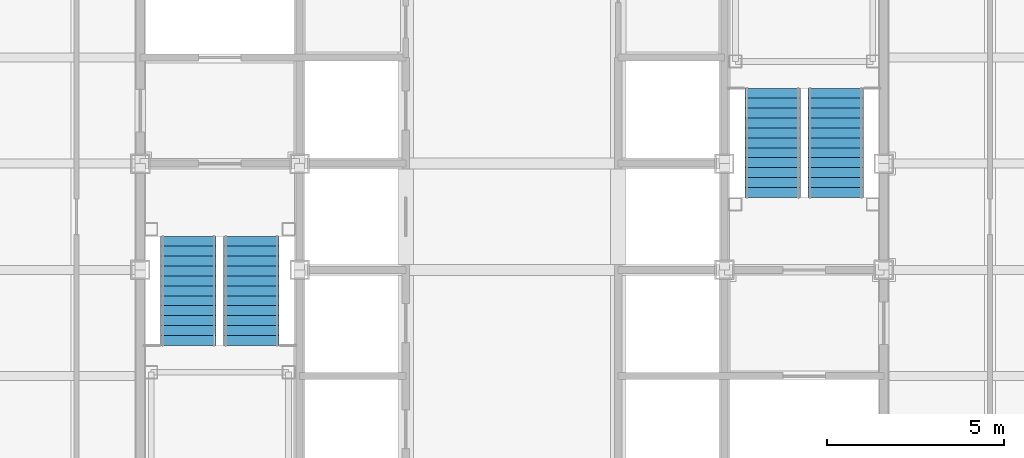
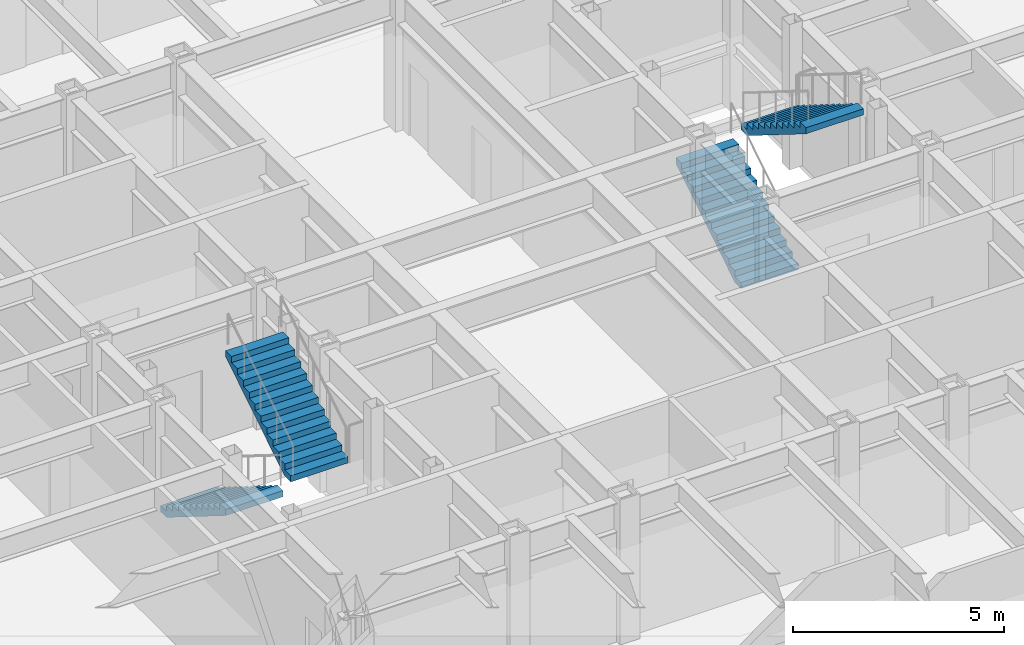
# One storey, part 14 of 16: 4 stair flights, 2 elements without a shape of their own.
"""IFC4 building model written with IfcOpenShell, lengths in metres."""

import ifcopenshell
import ifcopenshell.guid

model = None  # the IFC model being written
_history = None  # IfcOwnerHistory: only IFC2X3 demands one
_inside = {}  # id of a spatial element -> (the spatial element, [elements in it])
_under = {}  # id of a project, library or spatial element -> (it, [spatial elements below it])
_declared = {}  # id of a project -> (the project, [libraries it declares])
_typed = {}  # id of a type object -> (the type object, [elements of that type])
_made_of = {}  # id of a material, layer set ... -> (it, [elements and type objects made of it])


def new_model(schema):
    """Start an empty IFC model of exactly this schema.

    Asked for "IFC4X3", IfcOpenShell would pick the latest addendum, in which some entities
    have other attributes; the version numbers below select the first issue.
    IFC2X3 requires an IfcOwnerHistory on every rooted entity: one is made here for all.
    """
    global model, _history
    if schema == "IFC4X3":
        model = ifcopenshell.file(schema_version=(4, 3, 0, 0))
    else:
        model = ifcopenshell.file(schema=schema)
    _inside.clear()
    _under.clear()
    _declared.clear()
    _typed.clear()
    _made_of.clear()
    _history = None
    if model.schema == "IFC2X3":
        org = make("IfcOrganization", Name="unknown")
        user = make(
            "IfcPersonAndOrganization",
            ThePerson=make("IfcPerson", FamilyName="unknown"),
            TheOrganization=org,
        )
        app = make(
            "IfcApplication",
            ApplicationDeveloper=org,
            Version="unknown",
            ApplicationFullName="unknown",
            ApplicationIdentifier="unknown",
        )
        _history = make(
            "IfcOwnerHistory",
            OwningUser=user,
            OwningApplication=app,
            ChangeAction="ADDED",
            CreationDate=0,
        )
    return model


def make(cls, **values):
    """One entity of the class cls with the attributes given. An attribute that is None is left unset."""
    return model.create_entity(
        cls, **{name: value for name, value in values.items() if value is not None}
    )


def rooted(cls, **values):
    """An entity with a GlobalId (a new one), such as an element, a storey or a relation."""
    return make(cls, GlobalId=ifcopenshell.guid.new(), OwnerHistory=_history, **values)


def si_unit(unit_type, name, prefix=None):
    """IfcSIUnit, for example si_unit("LENGTHUNIT", "METRE", prefix="MILLI")."""
    return make("IfcSIUnit", UnitType=unit_type, Prefix=prefix, Name=name)


def assignment(units):
    """IfcUnitAssignment: the units of a project."""
    return None if units is None else make("IfcUnitAssignment", Units=units)


def point(xyz):
    """IfcCartesianPoint."""
    return None if xyz is None else make("IfcCartesianPoint", Coordinates=xyz)


def direction(xyz):
    """IfcDirection."""
    return None if xyz is None else make("IfcDirection", DirectionRatios=xyz)


def frame(location, z_axis=None, x_axis=None):
    """IfcAxis2Placement3D, a coordinate frame: its origin and axes. An axis left out is left unset."""
    return make(
        "IfcAxis2Placement3D",
        Location=point(location),
        Axis=direction(z_axis),
        RefDirection=direction(x_axis),
    )


def origin():
    """The frame at (0, 0, 0) with its axes left unset."""
    return frame((0.0, 0.0, 0.0))


def place(relative_to, where):
    """IfcLocalPlacement: puts the frame where relative to a parent placement (None: the world)."""
    return make(
        "IfcLocalPlacement", PlacementRelTo=relative_to, RelativePlacement=where
    )


def context(
    kind, dimensions, precision=None, world=None, true_north=None, identifier=None
):
    """IfcGeometricRepresentationContext, for example the 3D "Model" context."""
    return make(
        "IfcGeometricRepresentationContext",
        ContextIdentifier=identifier,
        ContextType=kind,
        CoordinateSpaceDimension=dimensions,
        Precision=precision,
        WorldCoordinateSystem=world,
        TrueNorth=true_north,
    )


def subcontext(parent, identifier, kind, view, scale=None):
    """IfcGeometricRepresentationSubContext, for example "Body" below "Model"."""
    return make(
        "IfcGeometricRepresentationSubContext",
        ContextIdentifier=identifier,
        ContextType=kind,
        ParentContext=parent,
        TargetScale=scale,
        TargetView=view,
    )


def project(units=None, contexts=None):
    """IfcProject with its units and contexts."""
    return rooted(
        "IfcProject",
        Name="project",
        RepresentationContexts=contexts,
        UnitsInContext=assignment(units),
    )


def spatial(cls, under=None, at=None, **own):
    """A site, building, storey or space (cls), placed at a placement, below another one or the project."""
    s = rooted(cls, ObjectPlacement=at, **own)
    if under is not None:
        _under.setdefault(under.id(), (under, []))[1].append(s)
    return s


def faces_of(points, faces, orient=None, outer=None):
    """IfcFace entities. A face is a list of loops; a loop is a list of indices into points, from 0.

    orient and outer hold one flag for each loop. By default every Orientation is true, the
    first loop of a face is its IfcFaceOuterBound and the others are IfcFaceBound.
    """
    made = []
    for i, loops in enumerate(faces):
        bounds = []
        for j, loop in enumerate(loops):
            is_outer = j == 0 if outer is None else outer[i][j]
            bounds.append(
                make(
                    "IfcFaceOuterBound" if is_outer else "IfcFaceBound",
                    Bound=make("IfcPolyLoop", Polygon=[points[k] for k in loop]),
                    Orientation=True if orient is None else orient[i][j],
                )
            )
        made.append(make("IfcFace", Bounds=bounds))
    return made


def faceted_brep(points, faces, orient=None, outer=None, voids=None):
    """IfcFacetedBrep: a solid bounded by flat faces; with voids (closed shells), ...WithVoids."""
    shared = [point(p) for p in points]
    hull = make("IfcClosedShell", CfsFaces=faces_of(shared, faces, orient, outer))
    if voids is None:
        return make("IfcFacetedBrep", Outer=hull)
    return make(
        "IfcFacetedBrepWithVoids",
        Outer=hull,
        Voids=[
            make(cls, CfsFaces=faces_of(shared, fs, o, b)) for cls, fs, o, b in voids
        ],
    )


def shape(context_of_items, identifier, shape_type, items):
    """IfcShapeRepresentation: the items that make up one representation, for example the "Body"."""
    return make(
        "IfcShapeRepresentation",
        ContextOfItems=context_of_items,
        RepresentationIdentifier=identifier,
        RepresentationType=shape_type,
        Items=items,
    )


def material(Name=None, Category=None):
    """IfcMaterial."""
    return make("IfcMaterial", Name=Name, Category=Category)


def made_of(thing, what):
    """Note that an element or type object is made of a material, layer set ...; save() writes the relation."""
    if what is not None:
        _made_of.setdefault(what.id(), (what, []))[1].append(thing)
    return thing


def type_object(cls, material=None, **own):
    """A type object (cls), such as IfcWallType, which elements share."""
    return made_of(rooted(cls, **own), material)


def element(
    cls,
    number,
    at=None,
    inside=None,
    cuts=None,
    type_object=None,
    material=None,
    context=None,
    identifier="Body",
    shape_type=None,
    held_by="IfcProductDefinitionShape",
    body=None,
    shapes=None,
    **own,
):
    """One element of the class cls, such as IfcWall. Its Tag is "e" and its number.

    at: its placement. inside: the storey or other place that contains it. cuts: it is an
    opening in that element (IfcRelVoidsElement). A single representation is given by context,
    identifier, shape_type and body (its items); several are given by shapes. held_by: the class
    of the entity that holds the representations. save() writes the other relations.
    """
    e = rooted(cls, Tag="e%d" % number, ObjectPlacement=at, **own)
    if body is not None:
        shapes = [shape(context, identifier, shape_type, body)]
    if shapes is not None:
        e.Representation = make(held_by, Representations=shapes)
    if inside is not None:
        _inside.setdefault(inside.id(), (inside, []))[1].append(e)
    if cuts is not None:
        rooted(
            "IfcRelVoidsElement", RelatingBuildingElement=cuts, RelatedOpeningElement=e
        )
    if type_object is not None:
        _typed.setdefault(type_object.id(), (type_object, []))[1].append(e)
    return made_of(e, material)


def aggregate(whole, parts):
    """IfcRelAggregates: a whole, such as a stair, and the parts it consists of."""
    return rooted("IfcRelAggregates", RelatingObject=whole, RelatedObjects=parts)


def save(model, path):
    """Write the relations noted so far, then the file.

    IfcRelAggregates (storeys below a building ...), IfcRelContainedInSpatialStructure (elements
    in a storey), IfcRelDefinesByType, IfcRelAssociatesMaterial and IfcRelDeclares: one each for
    every whole, place, type object, material and project.
    """
    for whole, parts in _under.values():
        aggregate(whole, parts)
    for where, things in _inside.values():
        rooted(
            "IfcRelContainedInSpatialStructure",
            RelatedElements=things,
            RelatingStructure=where,
        )
    for kind, things in _typed.values():
        rooted("IfcRelDefinesByType", RelatedObjects=things, RelatingType=kind)
    for what, things in _made_of.values():
        rooted("IfcRelAssociatesMaterial", RelatedObjects=things, RelatingMaterial=what)
    for by, libraries in _declared.values():
        rooted("IfcRelDeclares", RelatingContext=by, RelatedDefinitions=libraries)
    model.write(path)


model = new_model("IFC4")

# Units and contexts
model_context = context("Model", 3, precision=1e-05, world=origin(), true_north=direction((0.0, 1.0)))
body_context = subcontext(model_context, "Body", "Model", "MODEL_VIEW")
ifc_project = project(units=[si_unit("LENGTHUNIT", "METRE"), si_unit("AREAUNIT", "SQUARE_METRE"), si_unit("VOLUMEUNIT", "CUBIC_METRE"), si_unit("PLANEANGLEUNIT", "RADIAN"), si_unit("MASSUNIT", "GRAM", prefix="KILO")], contexts=[model_context])

# Site, building, storey
site_placement = place(None, origin())
site = spatial("IfcSite", under=ifc_project, at=site_placement, CompositionType="ELEMENT")
building_placement = place(site_placement, origin())
building = spatial("IfcBuilding", under=site, at=building_placement, Name="Chuquiago Exchange Tower", CompositionType="ELEMENT")
storey_placement = place(building_placement, frame((0.0, 0.0, 226.5)))
storey = spatial("IfcBuildingStorey", under=building, at=storey_placement, Name="L50", CompositionType="ELEMENT", Elevation=226.5)

# Stair, stair flights
ifc_material_1 = material(Name="Concrete C30/37, precast", Category="concrete")
stair_type_1 = type_object("IfcStairType", Name="ST1 half-turn stair 4200", PredefinedType="HALF_TURN_STAIR", material=ifc_material_1)
stair_1_placement = place(storey_placement, origin())
stair_1 = element("IfcStair", 1, at=stair_1_placement, inside=storey, type_object=stair_type_1, Name="Stair ST1 L50", PredefinedType="HALF_TURN_STAIR")
ifc_material_2 = material(Name="Concrete C30/37, precast", Category="concrete")
stair_flight_type = type_object("IfcStairFlightType", Name="ST-F flight 1570 for 4200 storey", PredefinedType="STRAIGHT", material=ifc_material_2)
stair_flight_1_placement = place(storey_placement, frame((13.360107421875, 21.949951171875, 0.0), z_axis=(0.0, 0.0, 1.0), x_axis=(0.0, -1.0, 0.0)))
stair_flight_1 = element("IfcStairFlight", 2, at=stair_flight_1_placement, type_object=stair_flight_type, Name="ST1 flight 1", NumberOfRisers=12, NumberOfTreads=11, PredefinedType="STRAIGHT", RiserHeight=0.175, TreadLength=0.28, context=body_context, shape_type="Brep", body=[
    faceted_brep([(0.0, 0.78515625, 0.0), (0.0, 0.78515625, 0.175048828125), (0.280029296875, 0.78515625, 0.175048828125), (0.280029296875, 0.78515625, 0.35009765625), (0.56005859375, 0.78515625, 0.35009765625), (0.56005859375, 0.78515625, 0.52490234375), (0.840087890625, 0.78515625, 0.52490234375), (0.840087890625, 0.78515625, 0.699951171875), (1.1201171875, 0.78515625, 0.699951171875), (1.1201171875, 0.78515625, 0.875), (1.39990234375, 0.78515625, 0.875), (1.39990234375, 0.78515625, 1.050048828125), (1.679931640625, 0.78515625, 1.050048828125), (1.679931640625, 0.78515625, 1.22509765625), (1.9599609375, 0.78515625, 1.22509765625), (1.9599609375, 0.78515625, 1.39990234375), (2.239990234375, 0.78515625, 1.39990234375), (2.239990234375, 0.78515625, 1.574951171875), (2.52001953125, 0.78515625, 1.574951171875), (2.52001953125, 0.78515625, 1.75), (2.800048828125, 0.78515625, 1.75), (2.800048828125, 0.78515625, 1.925048828125), (3.080078125, 0.78515625, 1.925048828125), (3.080078125, 0.78515625, 1.748291015625), (0.28271484375, 0.78515625, 0.0), (0.28271484375, -0.78515625, 0.0), (3.080078125, -0.78515625, 1.748291015625), (3.080078125, -0.78515625, 1.925048828125), (2.800048828125, -0.78515625, 1.925048828125), (2.800048828125, -0.78515625, 1.75), (2.52001953125, -0.78515625, 1.75), (2.52001953125, -0.78515625, 1.574951171875), (2.239990234375, -0.78515625, 1.574951171875), (2.239990234375, -0.78515625, 1.39990234375), (1.9599609375, -0.78515625, 1.39990234375), (1.9599609375, -0.78515625, 1.22509765625), (1.679931640625, -0.78515625, 1.22509765625), (1.679931640625, -0.78515625, 1.050048828125), (1.39990234375, -0.78515625, 1.050048828125), (1.39990234375, -0.78515625, 0.875), (1.1201171875, -0.78515625, 0.875), (1.1201171875, -0.78515625, 0.699951171875), (0.840087890625, -0.78515625, 0.699951171875), (0.840087890625, -0.78515625, 0.52490234375), (0.56005859375, -0.78515625, 0.52490234375), (0.56005859375, -0.78515625, 0.35009765625), (0.280029296875, -0.78515625, 0.35009765625), (0.280029296875, -0.78515625, 0.175048828125), (0.0, -0.78515625, 0.175048828125), (0.0, -0.78515625, 0.0), (0.0, 0.392578125, 0.0), (0.0, 0.392578125, 0.175048828125), (0.0, 0.0, 0.0), (0.0, 0.0, 0.175048828125), (0.0, -0.392578125, 0.0), (0.0, -0.392578125, 0.175048828125), (0.280029296875, 0.392578125, 0.175048828125), (0.280029296875, 0.0, 0.175048828125), (0.280029296875, -0.392578125, 0.175048828125), (0.280029296875, 0.392578125, 0.35009765625), (0.280029296875, 0.0, 0.35009765625), (0.280029296875, -0.392578125, 0.35009765625), (0.56005859375, 0.392578125, 0.35009765625), (0.56005859375, 0.0, 0.35009765625), (0.56005859375, -0.392578125, 0.35009765625), (0.56005859375, 0.392578125, 0.52490234375), (0.56005859375, 0.0, 0.52490234375), (0.56005859375, -0.392578125, 0.52490234375), (0.840087890625, 0.392578125, 0.52490234375), (0.840087890625, 0.0, 0.52490234375), (0.840087890625, -0.392578125, 0.52490234375), (0.840087890625, 0.392578125, 0.699951171875), (0.840087890625, 0.0, 0.699951171875), (0.840087890625, -0.392578125, 0.699951171875), (1.1201171875, 0.392578125, 0.699951171875), (1.1201171875, 0.0, 0.699951171875), (1.1201171875, -0.392578125, 0.699951171875), (1.1201171875, 0.392578125, 0.875), (1.1201171875, 0.0, 0.875), (1.1201171875, -0.392578125, 0.875), (1.39990234375, 0.392578125, 0.875), (1.39990234375, 0.0, 0.875), (1.39990234375, -0.392578125, 0.875), (1.39990234375, 0.392578125, 1.050048828125), (1.39990234375, 0.0, 1.050048828125), (1.39990234375, -0.392578125, 1.050048828125), (1.679931640625, 0.392578125, 1.050048828125), (1.679931640625, 0.0, 1.050048828125), (1.679931640625, -0.392578125, 1.050048828125), (1.679931640625, 0.392578125, 1.22509765625), (1.679931640625, 0.0, 1.22509765625), (1.679931640625, -0.392578125, 1.22509765625), (1.9599609375, 0.392578125, 1.22509765625), (1.9599609375, 0.0, 1.22509765625), (1.9599609375, -0.392578125, 1.22509765625), (1.9599609375, 0.392578125, 1.39990234375), (1.9599609375, 0.0, 1.39990234375), (1.9599609375, -0.392578125, 1.39990234375), (2.239990234375, 0.392578125, 1.39990234375), (2.239990234375, 0.0, 1.39990234375), (2.239990234375, -0.392578125, 1.39990234375), (2.239990234375, 0.392578125, 1.574951171875), (2.239990234375, 0.0, 1.574951171875), (2.239990234375, -0.392578125, 1.574951171875), (2.52001953125, 0.392578125, 1.574951171875), (2.52001953125, 0.0, 1.574951171875), (2.52001953125, -0.392578125, 1.574951171875), (2.52001953125, 0.392578125, 1.75), (2.52001953125, 0.0, 1.75), (2.52001953125, -0.392578125, 1.75), (2.800048828125, 0.392578125, 1.75), (2.800048828125, 0.0, 1.75), (2.800048828125, -0.392578125, 1.75), (2.800048828125, 0.392578125, 1.925048828125), (2.800048828125, 0.0, 1.925048828125), (2.800048828125, -0.392578125, 1.925048828125), (3.080078125, 0.392578125, 1.925048828125), (3.080078125, 0.0, 1.925048828125), (3.080078125, -0.392578125, 1.925048828125), (3.080078125, 0.392578125, 1.748291015625), (3.080078125, 0.0, 1.748291015625), (3.080078125, -0.392578125, 1.748291015625), (0.28271484375, 0.392578125, 0.0), (0.28271484375, 0.0, 0.0), (0.28271484375, -0.392578125, 0.0)], [[[0, 1, 2, 3, 4, 5, 6, 7, 8, 9, 10, 11, 12, 13, 14, 15, 16, 17, 18, 19, 20, 21, 22, 23, 24]], [[25, 26, 27, 28, 29, 30, 31, 32, 33, 34, 35, 36, 37, 38, 39, 40, 41, 42, 43, 44, 45, 46, 47, 48, 49]], [[1, 0, 50, 51]], [[51, 50, 52, 53]], [[53, 52, 54, 55]], [[55, 54, 49, 48]], [[2, 1, 51, 56]], [[56, 51, 53, 57]], [[57, 53, 55, 58]], [[58, 55, 48, 47]], [[3, 2, 56, 59]], [[59, 56, 57, 60]], [[60, 57, 58, 61]], [[61, 58, 47, 46]], [[4, 3, 59, 62]], [[62, 59, 60, 63]], [[63, 60, 61, 64]], [[64, 61, 46, 45]], [[5, 4, 62, 65]], [[65, 62, 63, 66]], [[66, 63, 64, 67]], [[67, 64, 45, 44]], [[6, 5, 65, 68]], [[68, 65, 66, 69]], [[69, 66, 67, 70]], [[70, 67, 44, 43]], [[7, 6, 68, 71]], [[71, 68, 69, 72]], [[72, 69, 70, 73]], [[73, 70, 43, 42]], [[8, 7, 71, 74]], [[74, 71, 72, 75]], [[75, 72, 73, 76]], [[76, 73, 42, 41]], [[9, 8, 74, 77]], [[77, 74, 75, 78]], [[78, 75, 76, 79]], [[79, 76, 41, 40]], [[10, 9, 77, 80]], [[80, 77, 78, 81]], [[81, 78, 79, 82]], [[82, 79, 40, 39]], [[11, 10, 80, 83]], [[83, 80, 81, 84]], [[84, 81, 82, 85]], [[85, 82, 39, 38]], [[12, 11, 83, 86]], [[86, 83, 84, 87]], [[87, 84, 85, 88]], [[88, 85, 38, 37]], [[13, 12, 86, 89]], [[89, 86, 87, 90]], [[90, 87, 88, 91]], [[91, 88, 37, 36]], [[14, 13, 89, 92]], [[92, 89, 90, 93]], [[93, 90, 91, 94]], [[94, 91, 36, 35]], [[15, 14, 92, 95]], [[95, 92, 93, 96]], [[96, 93, 94, 97]], [[97, 94, 35, 34]], [[16, 15, 95, 98]], [[98, 95, 96, 99]], [[99, 96, 97, 100]], [[100, 97, 34, 33]], [[17, 16, 98, 101]], [[101, 98, 99, 102]], [[102, 99, 100, 103]], [[103, 100, 33, 32]], [[18, 17, 101, 104]], [[104, 101, 102, 105]], [[105, 102, 103, 106]], [[106, 103, 32, 31]], [[19, 18, 104, 107]], [[107, 104, 105, 108]], [[108, 105, 106, 109]], [[109, 106, 31, 30]], [[20, 19, 107, 110]], [[110, 107, 108, 111]], [[111, 108, 109, 112]], [[112, 109, 30, 29]], [[21, 20, 110, 113]], [[113, 110, 111, 114]], [[114, 111, 112, 115]], [[115, 112, 29, 28]], [[22, 21, 113, 116]], [[116, 113, 114, 117]], [[117, 114, 115, 118]], [[118, 115, 28, 27]], [[23, 22, 116, 119]], [[119, 116, 117, 120]], [[120, 117, 118, 121]], [[121, 118, 27, 26]], [[24, 23, 119, 122]], [[122, 119, 120, 123]], [[123, 120, 121, 124]], [[124, 121, 26, 25]], [[0, 24, 122, 50]], [[50, 122, 123, 52]], [[52, 123, 124, 54]], [[54, 124, 25, 49]]]),
])
stair_flight_2_placement = place(storey_placement, frame((15.139892578125, 18.8701171875, 2.10009765625), z_axis=(0.0, 0.0, 1.0), x_axis=(0.0, 1.0, 0.0)))
stair_flight_2 = element("IfcStairFlight", 3, at=stair_flight_2_placement, type_object=stair_flight_type, Name="ST1 flight 2", NumberOfRisers=12, NumberOfTreads=11, PredefinedType="STRAIGHT", RiserHeight=0.175, TreadLength=0.28, context=body_context, shape_type="Brep", body=[
    faceted_brep([(0.0, 0.78515625, 0.0), (0.0, 0.78515625, 0.175048828125), (0.280029296875, 0.78515625, 0.175048828125), (0.280029296875, 0.78515625, 0.35009765625), (0.56005859375, 0.78515625, 0.35009765625), (0.56005859375, 0.78515625, 0.52490234375), (0.840087890625, 0.78515625, 0.52490234375), (0.840087890625, 0.78515625, 0.699951171875), (1.1201171875, 0.78515625, 0.699951171875), (1.1201171875, 0.78515625, 0.875), (1.39990234375, 0.78515625, 0.875), (1.39990234375, 0.78515625, 1.050048828125), (1.679931640625, 0.78515625, 1.050048828125), (1.679931640625, 0.78515625, 1.22509765625), (1.9599609375, 0.78515625, 1.22509765625), (1.9599609375, 0.78515625, 1.39990234375), (2.239990234375, 0.78515625, 1.39990234375), (2.239990234375, 0.78515625, 1.574951171875), (2.52001953125, 0.78515625, 1.574951171875), (2.52001953125, 0.78515625, 1.75), (2.800048828125, 0.78515625, 1.75), (2.800048828125, 0.78515625, 1.925048828125), (3.080078125, 0.78515625, 1.925048828125), (3.080078125, 0.78515625, 1.748291015625), (0.28271484375, 0.78515625, 0.0), (0.28271484375, -0.78515625, 0.0), (3.080078125, -0.78515625, 1.748291015625), (3.080078125, -0.78515625, 1.925048828125), (2.800048828125, -0.78515625, 1.925048828125), (2.800048828125, -0.78515625, 1.75), (2.52001953125, -0.78515625, 1.75), (2.52001953125, -0.78515625, 1.574951171875), (2.239990234375, -0.78515625, 1.574951171875), (2.239990234375, -0.78515625, 1.39990234375), (1.9599609375, -0.78515625, 1.39990234375), (1.9599609375, -0.78515625, 1.22509765625), (1.679931640625, -0.78515625, 1.22509765625), (1.679931640625, -0.78515625, 1.050048828125), (1.39990234375, -0.78515625, 1.050048828125), (1.39990234375, -0.78515625, 0.875), (1.1201171875, -0.78515625, 0.875), (1.1201171875, -0.78515625, 0.699951171875), (0.840087890625, -0.78515625, 0.699951171875), (0.840087890625, -0.78515625, 0.52490234375), (0.56005859375, -0.78515625, 0.52490234375), (0.56005859375, -0.78515625, 0.35009765625), (0.280029296875, -0.78515625, 0.35009765625), (0.280029296875, -0.78515625, 0.175048828125), (0.0, -0.78515625, 0.175048828125), (0.0, -0.78515625, 0.0), (0.0, 0.392578125, 0.0), (0.0, 0.392578125, 0.175048828125), (0.0, 0.0, 0.0), (0.0, 0.0, 0.175048828125), (0.0, -0.392578125, 0.0), (0.0, -0.392578125, 0.175048828125), (0.280029296875, 0.392578125, 0.175048828125), (0.280029296875, 0.0, 0.175048828125), (0.280029296875, -0.392578125, 0.175048828125), (0.280029296875, 0.392578125, 0.35009765625), (0.280029296875, 0.0, 0.35009765625), (0.280029296875, -0.392578125, 0.35009765625), (0.56005859375, 0.392578125, 0.35009765625), (0.56005859375, 0.0, 0.35009765625), (0.56005859375, -0.392578125, 0.35009765625), (0.56005859375, 0.392578125, 0.52490234375), (0.56005859375, 0.0, 0.52490234375), (0.56005859375, -0.392578125, 0.52490234375), (0.840087890625, 0.392578125, 0.52490234375), (0.840087890625, 0.0, 0.52490234375), (0.840087890625, -0.392578125, 0.52490234375), (0.840087890625, 0.392578125, 0.699951171875), (0.840087890625, 0.0, 0.699951171875), (0.840087890625, -0.392578125, 0.699951171875), (1.1201171875, 0.392578125, 0.699951171875), (1.1201171875, 0.0, 0.699951171875), (1.1201171875, -0.392578125, 0.699951171875), (1.1201171875, 0.392578125, 0.875), (1.1201171875, 0.0, 0.875), (1.1201171875, -0.392578125, 0.875), (1.39990234375, 0.392578125, 0.875), (1.39990234375, 0.0, 0.875), (1.39990234375, -0.392578125, 0.875), (1.39990234375, 0.392578125, 1.050048828125), (1.39990234375, 0.0, 1.050048828125), (1.39990234375, -0.392578125, 1.050048828125), (1.679931640625, 0.392578125, 1.050048828125), (1.679931640625, 0.0, 1.050048828125), (1.679931640625, -0.392578125, 1.050048828125), (1.679931640625, 0.392578125, 1.22509765625), (1.679931640625, 0.0, 1.22509765625), (1.679931640625, -0.392578125, 1.22509765625), (1.9599609375, 0.392578125, 1.22509765625), (1.9599609375, 0.0, 1.22509765625), (1.9599609375, -0.392578125, 1.22509765625), (1.9599609375, 0.392578125, 1.39990234375), (1.9599609375, 0.0, 1.39990234375), (1.9599609375, -0.392578125, 1.39990234375), (2.239990234375, 0.392578125, 1.39990234375), (2.239990234375, 0.0, 1.39990234375), (2.239990234375, -0.392578125, 1.39990234375), (2.239990234375, 0.392578125, 1.574951171875), (2.239990234375, 0.0, 1.574951171875), (2.239990234375, -0.392578125, 1.574951171875), (2.52001953125, 0.392578125, 1.574951171875), (2.52001953125, 0.0, 1.574951171875), (2.52001953125, -0.392578125, 1.574951171875), (2.52001953125, 0.392578125, 1.75), (2.52001953125, 0.0, 1.75), (2.52001953125, -0.392578125, 1.75), (2.800048828125, 0.392578125, 1.75), (2.800048828125, 0.0, 1.75), (2.800048828125, -0.392578125, 1.75), (2.800048828125, 0.392578125, 1.925048828125), (2.800048828125, 0.0, 1.925048828125), (2.800048828125, -0.392578125, 1.925048828125), (3.080078125, 0.392578125, 1.925048828125), (3.080078125, 0.0, 1.925048828125), (3.080078125, -0.392578125, 1.925048828125), (3.080078125, 0.392578125, 1.748291015625), (3.080078125, 0.0, 1.748291015625), (3.080078125, -0.392578125, 1.748291015625), (0.28271484375, 0.392578125, 0.0), (0.28271484375, 0.0, 0.0), (0.28271484375, -0.392578125, 0.0)], [[[0, 1, 2, 3, 4, 5, 6, 7, 8, 9, 10, 11, 12, 13, 14, 15, 16, 17, 18, 19, 20, 21, 22, 23, 24]], [[25, 26, 27, 28, 29, 30, 31, 32, 33, 34, 35, 36, 37, 38, 39, 40, 41, 42, 43, 44, 45, 46, 47, 48, 49]], [[1, 0, 50, 51]], [[51, 50, 52, 53]], [[53, 52, 54, 55]], [[55, 54, 49, 48]], [[2, 1, 51, 56]], [[56, 51, 53, 57]], [[57, 53, 55, 58]], [[58, 55, 48, 47]], [[3, 2, 56, 59]], [[59, 56, 57, 60]], [[60, 57, 58, 61]], [[61, 58, 47, 46]], [[4, 3, 59, 62]], [[62, 59, 60, 63]], [[63, 60, 61, 64]], [[64, 61, 46, 45]], [[5, 4, 62, 65]], [[65, 62, 63, 66]], [[66, 63, 64, 67]], [[67, 64, 45, 44]], [[6, 5, 65, 68]], [[68, 65, 66, 69]], [[69, 66, 67, 70]], [[70, 67, 44, 43]], [[7, 6, 68, 71]], [[71, 68, 69, 72]], [[72, 69, 70, 73]], [[73, 70, 43, 42]], [[8, 7, 71, 74]], [[74, 71, 72, 75]], [[75, 72, 73, 76]], [[76, 73, 42, 41]], [[9, 8, 74, 77]], [[77, 74, 75, 78]], [[78, 75, 76, 79]], [[79, 76, 41, 40]], [[10, 9, 77, 80]], [[80, 77, 78, 81]], [[81, 78, 79, 82]], [[82, 79, 40, 39]], [[11, 10, 80, 83]], [[83, 80, 81, 84]], [[84, 81, 82, 85]], [[85, 82, 39, 38]], [[12, 11, 83, 86]], [[86, 83, 84, 87]], [[87, 84, 85, 88]], [[88, 85, 38, 37]], [[13, 12, 86, 89]], [[89, 86, 87, 90]], [[90, 87, 88, 91]], [[91, 88, 37, 36]], [[14, 13, 89, 92]], [[92, 89, 90, 93]], [[93, 90, 91, 94]], [[94, 91, 36, 35]], [[15, 14, 92, 95]], [[95, 92, 93, 96]], [[96, 93, 94, 97]], [[97, 94, 35, 34]], [[16, 15, 95, 98]], [[98, 95, 96, 99]], [[99, 96, 97, 100]], [[100, 97, 34, 33]], [[17, 16, 98, 101]], [[101, 98, 99, 102]], [[102, 99, 100, 103]], [[103, 100, 33, 32]], [[18, 17, 101, 104]], [[104, 101, 102, 105]], [[105, 102, 103, 106]], [[106, 103, 32, 31]], [[19, 18, 104, 107]], [[107, 104, 105, 108]], [[108, 105, 106, 109]], [[109, 106, 31, 30]], [[20, 19, 107, 110]], [[110, 107, 108, 111]], [[111, 108, 109, 112]], [[112, 109, 30, 29]], [[21, 20, 110, 113]], [[113, 110, 111, 114]], [[114, 111, 112, 115]], [[115, 112, 29, 28]], [[22, 21, 113, 116]], [[116, 113, 114, 117]], [[117, 114, 115, 118]], [[118, 115, 28, 27]], [[23, 22, 116, 119]], [[119, 116, 117, 120]], [[120, 117, 118, 121]], [[121, 118, 27, 26]], [[24, 23, 119, 122]], [[122, 119, 120, 123]], [[123, 120, 121, 124]], [[124, 121, 26, 25]], [[0, 24, 122, 50]], [[50, 122, 123, 52]], [[52, 123, 124, 54]], [[54, 124, 25, 49]]]),
])
aggregate(stair_1, [stair_flight_1, stair_flight_2])

ifc_material_3 = material(Name="Concrete C30/37, precast", Category="concrete")
stair_type_2 = type_object("IfcStairType", Name="ST2 half-turn stair 4200", PredefinedType="HALF_TURN_STAIR", material=ifc_material_3)
stair_2_placement = place(storey_placement, origin())
stair_2 = element("IfcStair", 4, at=stair_2_placement, inside=storey, type_object=stair_type_2, Name="Stair ST2 L50", PredefinedType="HALF_TURN_STAIR")
stair_flight_3_placement = place(storey_placement, frame((29.860107421875, 23.050048828125, 0.0), z_axis=(0.0, 0.0, 1.0), x_axis=(0.0, 1.0, 0.0)))
stair_flight_3 = element("IfcStairFlight", 5, at=stair_flight_3_placement, type_object=stair_flight_type, Name="ST2 flight 1", NumberOfRisers=12, NumberOfTreads=11, PredefinedType="STRAIGHT", RiserHeight=0.175, TreadLength=0.28, context=body_context, shape_type="Brep", body=[
    faceted_brep([(0.0, 0.78515625, 0.0), (0.0, 0.78515625, 0.175048828125), (0.280029296875, 0.78515625, 0.175048828125), (0.280029296875, 0.78515625, 0.35009765625), (0.56005859375, 0.78515625, 0.35009765625), (0.56005859375, 0.78515625, 0.52490234375), (0.840087890625, 0.78515625, 0.52490234375), (0.840087890625, 0.78515625, 0.699951171875), (1.1201171875, 0.78515625, 0.699951171875), (1.1201171875, 0.78515625, 0.875), (1.39990234375, 0.78515625, 0.875), (1.39990234375, 0.78515625, 1.050048828125), (1.679931640625, 0.78515625, 1.050048828125), (1.679931640625, 0.78515625, 1.22509765625), (1.9599609375, 0.78515625, 1.22509765625), (1.9599609375, 0.78515625, 1.39990234375), (2.239990234375, 0.78515625, 1.39990234375), (2.239990234375, 0.78515625, 1.574951171875), (2.52001953125, 0.78515625, 1.574951171875), (2.52001953125, 0.78515625, 1.75), (2.800048828125, 0.78515625, 1.75), (2.800048828125, 0.78515625, 1.925048828125), (3.080078125, 0.78515625, 1.925048828125), (3.080078125, 0.78515625, 1.748291015625), (0.28271484375, 0.78515625, 0.0), (0.28271484375, -0.78515625, 0.0), (3.080078125, -0.78515625, 1.748291015625), (3.080078125, -0.78515625, 1.925048828125), (2.800048828125, -0.78515625, 1.925048828125), (2.800048828125, -0.78515625, 1.75), (2.52001953125, -0.78515625, 1.75), (2.52001953125, -0.78515625, 1.574951171875), (2.239990234375, -0.78515625, 1.574951171875), (2.239990234375, -0.78515625, 1.39990234375), (1.9599609375, -0.78515625, 1.39990234375), (1.9599609375, -0.78515625, 1.22509765625), (1.679931640625, -0.78515625, 1.22509765625), (1.679931640625, -0.78515625, 1.050048828125), (1.39990234375, -0.78515625, 1.050048828125), (1.39990234375, -0.78515625, 0.875), (1.1201171875, -0.78515625, 0.875), (1.1201171875, -0.78515625, 0.699951171875), (0.840087890625, -0.78515625, 0.699951171875), (0.840087890625, -0.78515625, 0.52490234375), (0.56005859375, -0.78515625, 0.52490234375), (0.56005859375, -0.78515625, 0.35009765625), (0.280029296875, -0.78515625, 0.35009765625), (0.280029296875, -0.78515625, 0.175048828125), (0.0, -0.78515625, 0.175048828125), (0.0, -0.78515625, 0.0), (0.0, 0.392578125, 0.0), (0.0, 0.392578125, 0.175048828125), (0.0, 0.0, 0.0), (0.0, 0.0, 0.175048828125), (0.0, -0.392578125, 0.0), (0.0, -0.392578125, 0.175048828125), (0.280029296875, 0.392578125, 0.175048828125), (0.280029296875, 0.0, 0.175048828125), (0.280029296875, -0.392578125, 0.175048828125), (0.280029296875, 0.392578125, 0.35009765625), (0.280029296875, 0.0, 0.35009765625), (0.280029296875, -0.392578125, 0.35009765625), (0.56005859375, 0.392578125, 0.35009765625), (0.56005859375, 0.0, 0.35009765625), (0.56005859375, -0.392578125, 0.35009765625), (0.56005859375, 0.392578125, 0.52490234375), (0.56005859375, 0.0, 0.52490234375), (0.56005859375, -0.392578125, 0.52490234375), (0.840087890625, 0.392578125, 0.52490234375), (0.840087890625, 0.0, 0.52490234375), (0.840087890625, -0.392578125, 0.52490234375), (0.840087890625, 0.392578125, 0.699951171875), (0.840087890625, 0.0, 0.699951171875), (0.840087890625, -0.392578125, 0.699951171875), (1.1201171875, 0.392578125, 0.699951171875), (1.1201171875, 0.0, 0.699951171875), (1.1201171875, -0.392578125, 0.699951171875), (1.1201171875, 0.392578125, 0.875), (1.1201171875, 0.0, 0.875), (1.1201171875, -0.392578125, 0.875), (1.39990234375, 0.392578125, 0.875), (1.39990234375, 0.0, 0.875), (1.39990234375, -0.392578125, 0.875), (1.39990234375, 0.392578125, 1.050048828125), (1.39990234375, 0.0, 1.050048828125), (1.39990234375, -0.392578125, 1.050048828125), (1.679931640625, 0.392578125, 1.050048828125), (1.679931640625, 0.0, 1.050048828125), (1.679931640625, -0.392578125, 1.050048828125), (1.679931640625, 0.392578125, 1.22509765625), (1.679931640625, 0.0, 1.22509765625), (1.679931640625, -0.392578125, 1.22509765625), (1.9599609375, 0.392578125, 1.22509765625), (1.9599609375, 0.0, 1.22509765625), (1.9599609375, -0.392578125, 1.22509765625), (1.9599609375, 0.392578125, 1.39990234375), (1.9599609375, 0.0, 1.39990234375), (1.9599609375, -0.392578125, 1.39990234375), (2.239990234375, 0.392578125, 1.39990234375), (2.239990234375, 0.0, 1.39990234375), (2.239990234375, -0.392578125, 1.39990234375), (2.239990234375, 0.392578125, 1.574951171875), (2.239990234375, 0.0, 1.574951171875), (2.239990234375, -0.392578125, 1.574951171875), (2.52001953125, 0.392578125, 1.574951171875), (2.52001953125, 0.0, 1.574951171875), (2.52001953125, -0.392578125, 1.574951171875), (2.52001953125, 0.392578125, 1.75), (2.52001953125, 0.0, 1.75), (2.52001953125, -0.392578125, 1.75), (2.800048828125, 0.392578125, 1.75), (2.800048828125, 0.0, 1.75), (2.800048828125, -0.392578125, 1.75), (2.800048828125, 0.392578125, 1.925048828125), (2.800048828125, 0.0, 1.925048828125), (2.800048828125, -0.392578125, 1.925048828125), (3.080078125, 0.392578125, 1.925048828125), (3.080078125, 0.0, 1.925048828125), (3.080078125, -0.392578125, 1.925048828125), (3.080078125, 0.392578125, 1.748291015625), (3.080078125, 0.0, 1.748291015625), (3.080078125, -0.392578125, 1.748291015625), (0.28271484375, 0.392578125, 0.0), (0.28271484375, 0.0, 0.0), (0.28271484375, -0.392578125, 0.0)], [[[0, 1, 2, 3, 4, 5, 6, 7, 8, 9, 10, 11, 12, 13, 14, 15, 16, 17, 18, 19, 20, 21, 22, 23, 24]], [[25, 26, 27, 28, 29, 30, 31, 32, 33, 34, 35, 36, 37, 38, 39, 40, 41, 42, 43, 44, 45, 46, 47, 48, 49]], [[1, 0, 50, 51]], [[51, 50, 52, 53]], [[53, 52, 54, 55]], [[55, 54, 49, 48]], [[2, 1, 51, 56]], [[56, 51, 53, 57]], [[57, 53, 55, 58]], [[58, 55, 48, 47]], [[3, 2, 56, 59]], [[59, 56, 57, 60]], [[60, 57, 58, 61]], [[61, 58, 47, 46]], [[4, 3, 59, 62]], [[62, 59, 60, 63]], [[63, 60, 61, 64]], [[64, 61, 46, 45]], [[5, 4, 62, 65]], [[65, 62, 63, 66]], [[66, 63, 64, 67]], [[67, 64, 45, 44]], [[6, 5, 65, 68]], [[68, 65, 66, 69]], [[69, 66, 67, 70]], [[70, 67, 44, 43]], [[7, 6, 68, 71]], [[71, 68, 69, 72]], [[72, 69, 70, 73]], [[73, 70, 43, 42]], [[8, 7, 71, 74]], [[74, 71, 72, 75]], [[75, 72, 73, 76]], [[76, 73, 42, 41]], [[9, 8, 74, 77]], [[77, 74, 75, 78]], [[78, 75, 76, 79]], [[79, 76, 41, 40]], [[10, 9, 77, 80]], [[80, 77, 78, 81]], [[81, 78, 79, 82]], [[82, 79, 40, 39]], [[11, 10, 80, 83]], [[83, 80, 81, 84]], [[84, 81, 82, 85]], [[85, 82, 39, 38]], [[12, 11, 83, 86]], [[86, 83, 84, 87]], [[87, 84, 85, 88]], [[88, 85, 38, 37]], [[13, 12, 86, 89]], [[89, 86, 87, 90]], [[90, 87, 88, 91]], [[91, 88, 37, 36]], [[14, 13, 89, 92]], [[92, 89, 90, 93]], [[93, 90, 91, 94]], [[94, 91, 36, 35]], [[15, 14, 92, 95]], [[95, 92, 93, 96]], [[96, 93, 94, 97]], [[97, 94, 35, 34]], [[16, 15, 95, 98]], [[98, 95, 96, 99]], [[99, 96, 97, 100]], [[100, 97, 34, 33]], [[17, 16, 98, 101]], [[101, 98, 99, 102]], [[102, 99, 100, 103]], [[103, 100, 33, 32]], [[18, 17, 101, 104]], [[104, 101, 102, 105]], [[105, 102, 103, 106]], [[106, 103, 32, 31]], [[19, 18, 104, 107]], [[107, 104, 105, 108]], [[108, 105, 106, 109]], [[109, 106, 31, 30]], [[20, 19, 107, 110]], [[110, 107, 108, 111]], [[111, 108, 109, 112]], [[112, 109, 30, 29]], [[21, 20, 110, 113]], [[113, 110, 111, 114]], [[114, 111, 112, 115]], [[115, 112, 29, 28]], [[22, 21, 113, 116]], [[116, 113, 114, 117]], [[117, 114, 115, 118]], [[118, 115, 28, 27]], [[23, 22, 116, 119]], [[119, 116, 117, 120]], [[120, 117, 118, 121]], [[121, 118, 27, 26]], [[24, 23, 119, 122]], [[122, 119, 120, 123]], [[123, 120, 121, 124]], [[124, 121, 26, 25]], [[0, 24, 122, 50]], [[50, 122, 123, 52]], [[52, 123, 124, 54]], [[54, 124, 25, 49]]]),
])
stair_flight_4_placement = place(storey_placement, frame((31.639892578125, 26.1298828125, 2.10009765625), z_axis=(0.0, 0.0, 1.0), x_axis=(0.0, -1.0, 0.0)))
stair_flight_4 = element("IfcStairFlight", 6, at=stair_flight_4_placement, type_object=stair_flight_type, Name="ST2 flight 2", NumberOfRisers=12, NumberOfTreads=11, PredefinedType="STRAIGHT", RiserHeight=0.175, TreadLength=0.28, context=body_context, shape_type="Brep", body=[
    faceted_brep([(0.0, 0.78515625, 0.0), (0.0, 0.78515625, 0.175048828125), (0.280029296875, 0.78515625, 0.175048828125), (0.280029296875, 0.78515625, 0.35009765625), (0.56005859375, 0.78515625, 0.35009765625), (0.56005859375, 0.78515625, 0.52490234375), (0.840087890625, 0.78515625, 0.52490234375), (0.840087890625, 0.78515625, 0.699951171875), (1.1201171875, 0.78515625, 0.699951171875), (1.1201171875, 0.78515625, 0.875), (1.39990234375, 0.78515625, 0.875), (1.39990234375, 0.78515625, 1.050048828125), (1.679931640625, 0.78515625, 1.050048828125), (1.679931640625, 0.78515625, 1.22509765625), (1.9599609375, 0.78515625, 1.22509765625), (1.9599609375, 0.78515625, 1.39990234375), (2.239990234375, 0.78515625, 1.39990234375), (2.239990234375, 0.78515625, 1.574951171875), (2.52001953125, 0.78515625, 1.574951171875), (2.52001953125, 0.78515625, 1.75), (2.800048828125, 0.78515625, 1.75), (2.800048828125, 0.78515625, 1.925048828125), (3.080078125, 0.78515625, 1.925048828125), (3.080078125, 0.78515625, 1.748291015625), (0.28271484375, 0.78515625, 0.0), (0.28271484375, -0.78515625, 0.0), (3.080078125, -0.78515625, 1.748291015625), (3.080078125, -0.78515625, 1.925048828125), (2.800048828125, -0.78515625, 1.925048828125), (2.800048828125, -0.78515625, 1.75), (2.52001953125, -0.78515625, 1.75), (2.52001953125, -0.78515625, 1.574951171875), (2.239990234375, -0.78515625, 1.574951171875), (2.239990234375, -0.78515625, 1.39990234375), (1.9599609375, -0.78515625, 1.39990234375), (1.9599609375, -0.78515625, 1.22509765625), (1.679931640625, -0.78515625, 1.22509765625), (1.679931640625, -0.78515625, 1.050048828125), (1.39990234375, -0.78515625, 1.050048828125), (1.39990234375, -0.78515625, 0.875), (1.1201171875, -0.78515625, 0.875), (1.1201171875, -0.78515625, 0.699951171875), (0.840087890625, -0.78515625, 0.699951171875), (0.840087890625, -0.78515625, 0.52490234375), (0.56005859375, -0.78515625, 0.52490234375), (0.56005859375, -0.78515625, 0.35009765625), (0.280029296875, -0.78515625, 0.35009765625), (0.280029296875, -0.78515625, 0.175048828125), (0.0, -0.78515625, 0.175048828125), (0.0, -0.78515625, 0.0), (0.0, 0.392578125, 0.0), (0.0, 0.392578125, 0.175048828125), (0.0, 0.0, 0.0), (0.0, 0.0, 0.175048828125), (0.0, -0.392578125, 0.0), (0.0, -0.392578125, 0.175048828125), (0.280029296875, 0.392578125, 0.175048828125), (0.280029296875, 0.0, 0.175048828125), (0.280029296875, -0.392578125, 0.175048828125), (0.280029296875, 0.392578125, 0.35009765625), (0.280029296875, 0.0, 0.35009765625), (0.280029296875, -0.392578125, 0.35009765625), (0.56005859375, 0.392578125, 0.35009765625), (0.56005859375, 0.0, 0.35009765625), (0.56005859375, -0.392578125, 0.35009765625), (0.56005859375, 0.392578125, 0.52490234375), (0.56005859375, 0.0, 0.52490234375), (0.56005859375, -0.392578125, 0.52490234375), (0.840087890625, 0.392578125, 0.52490234375), (0.840087890625, 0.0, 0.52490234375), (0.840087890625, -0.392578125, 0.52490234375), (0.840087890625, 0.392578125, 0.699951171875), (0.840087890625, 0.0, 0.699951171875), (0.840087890625, -0.392578125, 0.699951171875), (1.1201171875, 0.392578125, 0.699951171875), (1.1201171875, 0.0, 0.699951171875), (1.1201171875, -0.392578125, 0.699951171875), (1.1201171875, 0.392578125, 0.875), (1.1201171875, 0.0, 0.875), (1.1201171875, -0.392578125, 0.875), (1.39990234375, 0.392578125, 0.875), (1.39990234375, 0.0, 0.875), (1.39990234375, -0.392578125, 0.875), (1.39990234375, 0.392578125, 1.050048828125), (1.39990234375, 0.0, 1.050048828125), (1.39990234375, -0.392578125, 1.050048828125), (1.679931640625, 0.392578125, 1.050048828125), (1.679931640625, 0.0, 1.050048828125), (1.679931640625, -0.392578125, 1.050048828125), (1.679931640625, 0.392578125, 1.22509765625), (1.679931640625, 0.0, 1.22509765625), (1.679931640625, -0.392578125, 1.22509765625), (1.9599609375, 0.392578125, 1.22509765625), (1.9599609375, 0.0, 1.22509765625), (1.9599609375, -0.392578125, 1.22509765625), (1.9599609375, 0.392578125, 1.39990234375), (1.9599609375, 0.0, 1.39990234375), (1.9599609375, -0.392578125, 1.39990234375), (2.239990234375, 0.392578125, 1.39990234375), (2.239990234375, 0.0, 1.39990234375), (2.239990234375, -0.392578125, 1.39990234375), (2.239990234375, 0.392578125, 1.574951171875), (2.239990234375, 0.0, 1.574951171875), (2.239990234375, -0.392578125, 1.574951171875), (2.52001953125, 0.392578125, 1.574951171875), (2.52001953125, 0.0, 1.574951171875), (2.52001953125, -0.392578125, 1.574951171875), (2.52001953125, 0.392578125, 1.75), (2.52001953125, 0.0, 1.75), (2.52001953125, -0.392578125, 1.75), (2.800048828125, 0.392578125, 1.75), (2.800048828125, 0.0, 1.75), (2.800048828125, -0.392578125, 1.75), (2.800048828125, 0.392578125, 1.925048828125), (2.800048828125, 0.0, 1.925048828125), (2.800048828125, -0.392578125, 1.925048828125), (3.080078125, 0.392578125, 1.925048828125), (3.080078125, 0.0, 1.925048828125), (3.080078125, -0.392578125, 1.925048828125), (3.080078125, 0.392578125, 1.748291015625), (3.080078125, 0.0, 1.748291015625), (3.080078125, -0.392578125, 1.748291015625), (0.28271484375, 0.392578125, 0.0), (0.28271484375, 0.0, 0.0), (0.28271484375, -0.392578125, 0.0)], [[[0, 1, 2, 3, 4, 5, 6, 7, 8, 9, 10, 11, 12, 13, 14, 15, 16, 17, 18, 19, 20, 21, 22, 23, 24]], [[25, 26, 27, 28, 29, 30, 31, 32, 33, 34, 35, 36, 37, 38, 39, 40, 41, 42, 43, 44, 45, 46, 47, 48, 49]], [[1, 0, 50, 51]], [[51, 50, 52, 53]], [[53, 52, 54, 55]], [[55, 54, 49, 48]], [[2, 1, 51, 56]], [[56, 51, 53, 57]], [[57, 53, 55, 58]], [[58, 55, 48, 47]], [[3, 2, 56, 59]], [[59, 56, 57, 60]], [[60, 57, 58, 61]], [[61, 58, 47, 46]], [[4, 3, 59, 62]], [[62, 59, 60, 63]], [[63, 60, 61, 64]], [[64, 61, 46, 45]], [[5, 4, 62, 65]], [[65, 62, 63, 66]], [[66, 63, 64, 67]], [[67, 64, 45, 44]], [[6, 5, 65, 68]], [[68, 65, 66, 69]], [[69, 66, 67, 70]], [[70, 67, 44, 43]], [[7, 6, 68, 71]], [[71, 68, 69, 72]], [[72, 69, 70, 73]], [[73, 70, 43, 42]], [[8, 7, 71, 74]], [[74, 71, 72, 75]], [[75, 72, 73, 76]], [[76, 73, 42, 41]], [[9, 8, 74, 77]], [[77, 74, 75, 78]], [[78, 75, 76, 79]], [[79, 76, 41, 40]], [[10, 9, 77, 80]], [[80, 77, 78, 81]], [[81, 78, 79, 82]], [[82, 79, 40, 39]], [[11, 10, 80, 83]], [[83, 80, 81, 84]], [[84, 81, 82, 85]], [[85, 82, 39, 38]], [[12, 11, 83, 86]], [[86, 83, 84, 87]], [[87, 84, 85, 88]], [[88, 85, 38, 37]], [[13, 12, 86, 89]], [[89, 86, 87, 90]], [[90, 87, 88, 91]], [[91, 88, 37, 36]], [[14, 13, 89, 92]], [[92, 89, 90, 93]], [[93, 90, 91, 94]], [[94, 91, 36, 35]], [[15, 14, 92, 95]], [[95, 92, 93, 96]], [[96, 93, 94, 97]], [[97, 94, 35, 34]], [[16, 15, 95, 98]], [[98, 95, 96, 99]], [[99, 96, 97, 100]], [[100, 97, 34, 33]], [[17, 16, 98, 101]], [[101, 98, 99, 102]], [[102, 99, 100, 103]], [[103, 100, 33, 32]], [[18, 17, 101, 104]], [[104, 101, 102, 105]], [[105, 102, 103, 106]], [[106, 103, 32, 31]], [[19, 18, 104, 107]], [[107, 104, 105, 108]], [[108, 105, 106, 109]], [[109, 106, 31, 30]], [[20, 19, 107, 110]], [[110, 107, 108, 111]], [[111, 108, 109, 112]], [[112, 109, 30, 29]], [[21, 20, 110, 113]], [[113, 110, 111, 114]], [[114, 111, 112, 115]], [[115, 112, 29, 28]], [[22, 21, 113, 116]], [[116, 113, 114, 117]], [[117, 114, 115, 118]], [[118, 115, 28, 27]], [[23, 22, 116, 119]], [[119, 116, 117, 120]], [[120, 117, 118, 121]], [[121, 118, 27, 26]], [[24, 23, 119, 122]], [[122, 119, 120, 123]], [[123, 120, 121, 124]], [[124, 121, 26, 25]], [[0, 24, 122, 50]], [[50, 122, 123, 52]], [[52, 123, 124, 54]], [[54, 124, 25, 49]]]),
])
aggregate(stair_2, [stair_flight_3, stair_flight_4])

save(model, "model.ifc")
